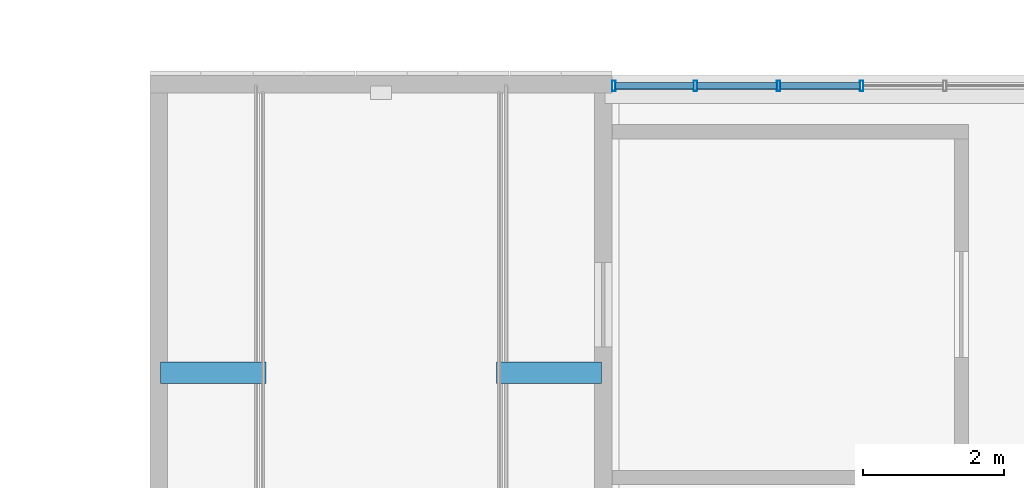
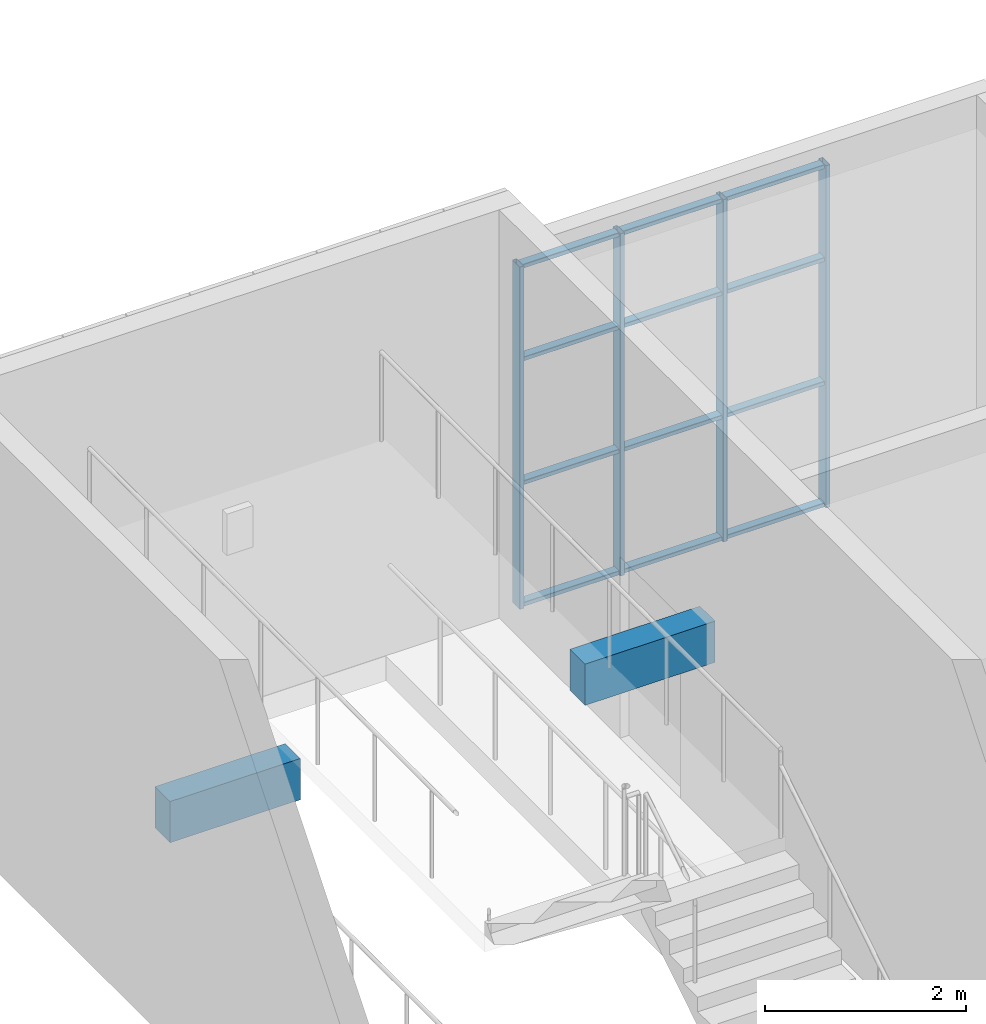
# One storey, part 20 of 125: 16 members, 2 beams, 1 element without a shape of its own.
"""IFC4 building model written with IfcOpenShell, lengths in metres."""

from ifc_helpers import new_model, si_unit, direction, frame, origin, origin_2d, place, context, subcontext, project, spatial, rectangle, hollow_rectangle, extrude, material, material_profile, profile_set, type_object, element, aggregate, save


model = new_model("IFC4")

# Units and contexts
model_context = context("Model", 3, precision=1e-05, world=origin(), true_north=direction((0.0, 1.0)))
body_context = subcontext(model_context, "Body", "Model", "MODEL_VIEW")
ifc_project = project(units=[si_unit("LENGTHUNIT", "METRE"), si_unit("AREAUNIT", "SQUARE_METRE"), si_unit("VOLUMEUNIT", "CUBIC_METRE"), si_unit("PLANEANGLEUNIT", "RADIAN"), si_unit("MASSUNIT", "GRAM", prefix="KILO")], contexts=[model_context])

# Site, building, storey
site_placement = place(None, origin())
site = spatial("IfcSite", under=ifc_project, at=site_placement, CompositionType="ELEMENT")
building_placement = place(site_placement, origin())
building = spatial("IfcBuilding", under=site, at=building_placement, Name="Sun Court Science Centre", CompositionType="ELEMENT")
storey_placement = place(building_placement, frame((0.0, 0.0, 6.0)))
storey = spatial("IfcBuildingStorey", under=building, at=storey_placement, Name="L01", CompositionType="ELEMENT", Elevation=6.0)

# Curtain wall, members
ifc_material_1 = material(Name="Aluminium EN AW-6063 T6", Category="aluminium")
curtain_wall_type = type_object("IfcCurtainWallType", Name="Pavilion curtain wall 1200", PredefinedType="NOTDEFINED", material=ifc_material_1)
curtain_wall_placement = place(storey_placement, origin())
curtain_wall = element("IfcCurtainWall", 1, at=curtain_wall_placement, inside=storey, type_object=curtain_wall_type, Name="Curtain wall V5 N L01 01", PredefinedType="NOTDEFINED")
ifc_material_2 = material(Name="Aluminium EN AW-6063 T6", Category="aluminium")
ifc_material_profile_1 = material_profile(ifc_material_2, hollow_rectangle(XDim=0.050048828125, YDim=0.14990234375, WallThickness=0.00390625, InnerFilletRadius=0.00390625, OuterFilletRadius=0.006103515625, at=origin_2d()), Name="AL 50x150x4")
ifc_profile_set_1 = profile_set([ifc_material_profile_1], Name="Aluminium EN AW-6063 T6")
member_type_1 = type_object("IfcMemberType", Name="Curtain wall mullion AL 50x150", PredefinedType="MULLION", material=ifc_profile_set_1)
member_1_placement = place(storey_placement, frame((42.574951171875, 49.85009765625, 0.0), z_axis=(0.0, 0.0, 1.0), x_axis=(1.0, 0.0, 0.0)))
member_1 = element("IfcMember", 2, at=member_1_placement, type_object=member_type_1, Name="CW3-14 mullion 1", PredefinedType="MULLION", context=body_context, shape_type="SweptSolid", body=[
    extrude(hollow_rectangle(XDim=0.050048828125, YDim=0.14990234375, WallThickness=0.00390625, InnerFilletRadius=0.00390625, OuterFilletRadius=0.006103515625, at=origin_2d()), origin(), (0.0, 0.0, 1.0), 4.14990234375),
])
member_2_placement = place(storey_placement, frame((43.728515625, 49.85009765625, 0.0), z_axis=(0.0, 0.0, 1.0), x_axis=(1.0, 0.0, 0.0)))
member_2 = element("IfcMember", 3, at=member_2_placement, type_object=member_type_1, Name="CW3-14 mullion 2", PredefinedType="MULLION", context=body_context, shape_type="SweptSolid", body=[
    extrude(hollow_rectangle(XDim=0.050048828125, YDim=0.14990234375, WallThickness=0.00390625, InnerFilletRadius=0.00390625, OuterFilletRadius=0.006103515625, at=origin_2d()), origin(), (0.0, 0.0, 1.0), 4.14990234375),
])
member_3_placement = place(storey_placement, frame((44.9072265625, 49.85009765625, 0.0), z_axis=(0.0, 0.0, 1.0), x_axis=(1.0, 0.0, 0.0)))
member_3 = element("IfcMember", 4, at=member_3_placement, type_object=member_type_1, Name="CW3-14 mullion 3", PredefinedType="MULLION", context=body_context, shape_type="SweptSolid", body=[
    extrude(hollow_rectangle(XDim=0.050048828125, YDim=0.14990234375, WallThickness=0.00390625, InnerFilletRadius=0.00390625, OuterFilletRadius=0.006103515625, at=origin_2d()), origin(), (0.0, 0.0, 1.0), 4.14990234375),
])
member_4_placement = place(storey_placement, frame((46.085693359375, 49.85009765625, 0.0), z_axis=(0.0, 0.0, 1.0), x_axis=(1.0, 0.0, 0.0)))
member_4 = element("IfcMember", 5, at=member_4_placement, type_object=member_type_1, Name="CW3-14 mullion 4", PredefinedType="MULLION", context=body_context, shape_type="SweptSolid", body=[
    extrude(hollow_rectangle(XDim=0.050048828125, YDim=0.14990234375, WallThickness=0.00390625, InnerFilletRadius=0.00390625, OuterFilletRadius=0.006103515625, at=origin_2d()), origin(), (0.0, 0.0, 1.0), 4.14990234375),
])
ifc_material_3 = material(Name="Aluminium EN AW-6063 T6", Category="aluminium")
ifc_material_profile_2 = material_profile(ifc_material_3, hollow_rectangle(XDim=0.050048828125, YDim=0.10009765625, WallThickness=0.00390625, InnerFilletRadius=0.00390625, OuterFilletRadius=0.006103515625, at=origin_2d()), Name="AL 50x100x4")
ifc_profile_set_2 = profile_set([ifc_material_profile_2], Name="Aluminium EN AW-6063 T6")
member_type_2 = type_object("IfcMemberType", Name="Curtain wall transom AL 50x100", PredefinedType="USERDEFINED", material=ifc_profile_set_2)
member_5_placement = place(storey_placement, frame((42.60009765625, 49.85009765625, 0.02490234375), z_axis=(1.0, 0.0, 0.0), x_axis=(0.0, 0.0, 1.0)))
member_5 = element("IfcMember", 6, at=member_5_placement, type_object=member_type_2, Name="CW3-14 transom 1.1", ObjectType="TRANSOM", PredefinedType="USERDEFINED", context=body_context, shape_type="SweptSolid", body=[
    extrude(hollow_rectangle(XDim=0.050048828125, YDim=0.10009765625, WallThickness=0.00390625, InnerFilletRadius=0.00390625, OuterFilletRadius=0.006103515625, at=origin_2d()), origin(), (0.0, 0.0, 1.0), 1.103515625),
])
member_6_placement = place(storey_placement, frame((43.753662109375, 49.85009765625, 0.02490234375), z_axis=(1.0, 0.0, 0.0), x_axis=(0.0, 0.0, 1.0)))
member_6 = element("IfcMember", 7, at=member_6_placement, type_object=member_type_2, Name="CW3-14 transom 2.1", ObjectType="TRANSOM", PredefinedType="USERDEFINED", context=body_context, shape_type="SweptSolid", body=[
    extrude(hollow_rectangle(XDim=0.050048828125, YDim=0.10009765625, WallThickness=0.00390625, InnerFilletRadius=0.00390625, OuterFilletRadius=0.006103515625, at=origin_2d()), origin(), (0.0, 0.0, 1.0), 1.12841796875),
])
member_7_placement = place(storey_placement, frame((44.93212890625, 49.85009765625, 0.02490234375), z_axis=(1.0, 0.0, 0.0), x_axis=(0.0, 0.0, 1.0)))
member_7 = element("IfcMember", 8, at=member_7_placement, type_object=member_type_2, Name="CW3-14 transom 3.1", ObjectType="TRANSOM", PredefinedType="USERDEFINED", context=body_context, shape_type="SweptSolid", body=[
    extrude(hollow_rectangle(XDim=0.050048828125, YDim=0.10009765625, WallThickness=0.00390625, InnerFilletRadius=0.00390625, OuterFilletRadius=0.006103515625, at=origin_2d()), origin(), (0.0, 0.0, 1.0), 1.128662109375),
])
member_8_placement = place(storey_placement, frame((42.60009765625, 49.85009765625, 1.5), z_axis=(1.0, 0.0, 0.0), x_axis=(0.0, 0.0, 1.0)))
member_8 = element("IfcMember", 9, at=member_8_placement, type_object=member_type_2, Name="CW3-14 transom 1.2", ObjectType="TRANSOM", PredefinedType="USERDEFINED", context=body_context, shape_type="SweptSolid", body=[
    extrude(hollow_rectangle(XDim=0.050048828125, YDim=0.10009765625, WallThickness=0.00390625, InnerFilletRadius=0.00390625, OuterFilletRadius=0.006103515625, at=origin_2d()), origin(), (0.0, 0.0, 1.0), 1.103515625),
])
member_9_placement = place(storey_placement, frame((43.753662109375, 49.85009765625, 1.5), z_axis=(1.0, 0.0, 0.0), x_axis=(0.0, 0.0, 1.0)))
member_9 = element("IfcMember", 10, at=member_9_placement, type_object=member_type_2, Name="CW3-14 transom 2.2", ObjectType="TRANSOM", PredefinedType="USERDEFINED", context=body_context, shape_type="SweptSolid", body=[
    extrude(hollow_rectangle(XDim=0.050048828125, YDim=0.10009765625, WallThickness=0.00390625, InnerFilletRadius=0.00390625, OuterFilletRadius=0.006103515625, at=origin_2d()), origin(), (0.0, 0.0, 1.0), 1.12841796875),
])
member_10_placement = place(storey_placement, frame((44.93212890625, 49.85009765625, 1.5), z_axis=(1.0, 0.0, 0.0), x_axis=(0.0, 0.0, 1.0)))
member_10 = element("IfcMember", 11, at=member_10_placement, type_object=member_type_2, Name="CW3-14 transom 3.2", ObjectType="TRANSOM", PredefinedType="USERDEFINED", context=body_context, shape_type="SweptSolid", body=[
    extrude(hollow_rectangle(XDim=0.050048828125, YDim=0.10009765625, WallThickness=0.00390625, InnerFilletRadius=0.00390625, OuterFilletRadius=0.006103515625, at=origin_2d()), origin(), (0.0, 0.0, 1.0), 1.128662109375),
])
member_11_placement = place(storey_placement, frame((42.60009765625, 49.85009765625, 3.0), z_axis=(1.0, 0.0, 0.0), x_axis=(0.0, 0.0, 1.0)))
member_11 = element("IfcMember", 12, at=member_11_placement, type_object=member_type_2, Name="CW3-14 transom 1.3", ObjectType="TRANSOM", PredefinedType="USERDEFINED", context=body_context, shape_type="SweptSolid", body=[
    extrude(hollow_rectangle(XDim=0.050048828125, YDim=0.10009765625, WallThickness=0.00390625, InnerFilletRadius=0.00390625, OuterFilletRadius=0.006103515625, at=origin_2d()), origin(), (0.0, 0.0, 1.0), 1.103515625),
])
member_12_placement = place(storey_placement, frame((43.753662109375, 49.85009765625, 3.0), z_axis=(1.0, 0.0, 0.0), x_axis=(0.0, 0.0, 1.0)))
member_12 = element("IfcMember", 13, at=member_12_placement, type_object=member_type_2, Name="CW3-14 transom 2.3", ObjectType="TRANSOM", PredefinedType="USERDEFINED", context=body_context, shape_type="SweptSolid", body=[
    extrude(hollow_rectangle(XDim=0.050048828125, YDim=0.10009765625, WallThickness=0.00390625, InnerFilletRadius=0.00390625, OuterFilletRadius=0.006103515625, at=origin_2d()), origin(), (0.0, 0.0, 1.0), 1.12841796875),
])
member_13_placement = place(storey_placement, frame((44.93212890625, 49.85009765625, 3.0), z_axis=(1.0, 0.0, 0.0), x_axis=(0.0, 0.0, 1.0)))
member_13 = element("IfcMember", 14, at=member_13_placement, type_object=member_type_2, Name="CW3-14 transom 3.3", ObjectType="TRANSOM", PredefinedType="USERDEFINED", context=body_context, shape_type="SweptSolid", body=[
    extrude(hollow_rectangle(XDim=0.050048828125, YDim=0.10009765625, WallThickness=0.00390625, InnerFilletRadius=0.00390625, OuterFilletRadius=0.006103515625, at=origin_2d()), origin(), (0.0, 0.0, 1.0), 1.128662109375),
])
member_14_placement = place(storey_placement, frame((42.60009765625, 49.85009765625, 4.125), z_axis=(1.0, 0.0, 0.0), x_axis=(0.0, 0.0, 1.0)))
member_14 = element("IfcMember", 15, at=member_14_placement, type_object=member_type_2, Name="CW3-14 transom 1.4", ObjectType="TRANSOM", PredefinedType="USERDEFINED", context=body_context, shape_type="SweptSolid", body=[
    extrude(hollow_rectangle(XDim=0.050048828125, YDim=0.10009765625, WallThickness=0.00390625, InnerFilletRadius=0.00390625, OuterFilletRadius=0.006103515625, at=origin_2d()), origin(), (0.0, 0.0, 1.0), 1.103515625),
])
member_15_placement = place(storey_placement, frame((43.753662109375, 49.85009765625, 4.125), z_axis=(1.0, 0.0, 0.0), x_axis=(0.0, 0.0, 1.0)))
member_15 = element("IfcMember", 16, at=member_15_placement, type_object=member_type_2, Name="CW3-14 transom 2.4", ObjectType="TRANSOM", PredefinedType="USERDEFINED", context=body_context, shape_type="SweptSolid", body=[
    extrude(hollow_rectangle(XDim=0.050048828125, YDim=0.10009765625, WallThickness=0.00390625, InnerFilletRadius=0.00390625, OuterFilletRadius=0.006103515625, at=origin_2d()), origin(), (0.0, 0.0, 1.0), 1.12841796875),
])
member_16_placement = place(storey_placement, frame((44.93212890625, 49.85009765625, 4.125), z_axis=(1.0, 0.0, 0.0), x_axis=(0.0, 0.0, 1.0)))
member_16 = element("IfcMember", 17, at=member_16_placement, type_object=member_type_2, Name="CW3-14 transom 3.4", ObjectType="TRANSOM", PredefinedType="USERDEFINED", context=body_context, shape_type="SweptSolid", body=[
    extrude(hollow_rectangle(XDim=0.050048828125, YDim=0.10009765625, WallThickness=0.00390625, InnerFilletRadius=0.00390625, OuterFilletRadius=0.006103515625, at=origin_2d()), origin(), (0.0, 0.0, 1.0), 1.128662109375),
])
aggregate(curtain_wall, [member_1, member_2, member_3, member_4, member_5, member_6, member_7, member_8, member_9, member_10, member_11, member_12, member_13, member_14, member_15, member_16])

# Beams
ifc_material_4 = material(Name="Concrete C25/30", Category="concrete")
ifc_material_profile_3 = material_profile(ifc_material_4, rectangle(XDim=0.300048828125, YDim=0.5, at=origin_2d()), Name="RC 300x500")
ifc_profile_set_3 = profile_set([ifc_material_profile_3], Name="Concrete C25/30")
beam_type = type_object("IfcBeamType", Name="RC landing trimmer 300x500", PredefinedType="BEAM", material=ifc_profile_set_3)
beam_1_placement = place(storey_placement, frame((42.39990234375, 45.783935546875, 2.175048828125), z_axis=(-1.0, 0.0, 0.0), x_axis=(0.0, -1.0, 0.0)))
element("IfcBeam", 18, at=beam_1_placement, inside=storey, type_object=beam_type, Name="SP1 landing 1 trimmer beam 4", PredefinedType="BEAM", context=body_context, shape_type="SweptSolid", body=[
    extrude(rectangle(XDim=0.300048828125, YDim=0.5, at=origin_2d()), origin(), (0.0, 0.0, 1.0), 1.491943359375),
])
beam_2_placement = place(storey_placement, frame((36.14990234375, 45.783935546875, 2.175048828125), z_axis=(1.0, 0.0, 0.0), x_axis=(0.0, 1.0, 0.0)))
element("IfcBeam", 19, at=beam_2_placement, inside=storey, type_object=beam_type, Name="SP1 landing 1 trimmer beam 5", PredefinedType="BEAM", context=body_context, shape_type="SweptSolid", body=[
    extrude(rectangle(XDim=0.300048828125, YDim=0.5, at=origin_2d()), origin(), (0.0, 0.0, 1.0), 1.4921875),
])

save(model, "model.ifc")
